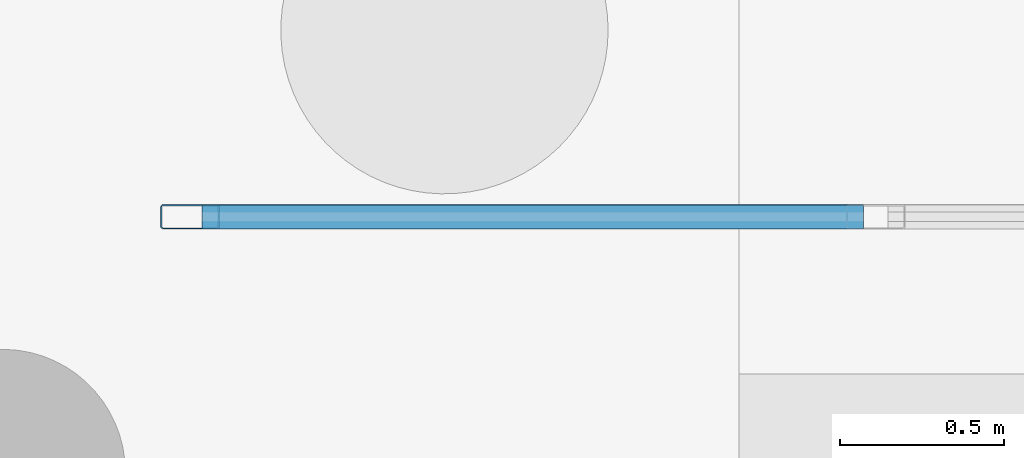
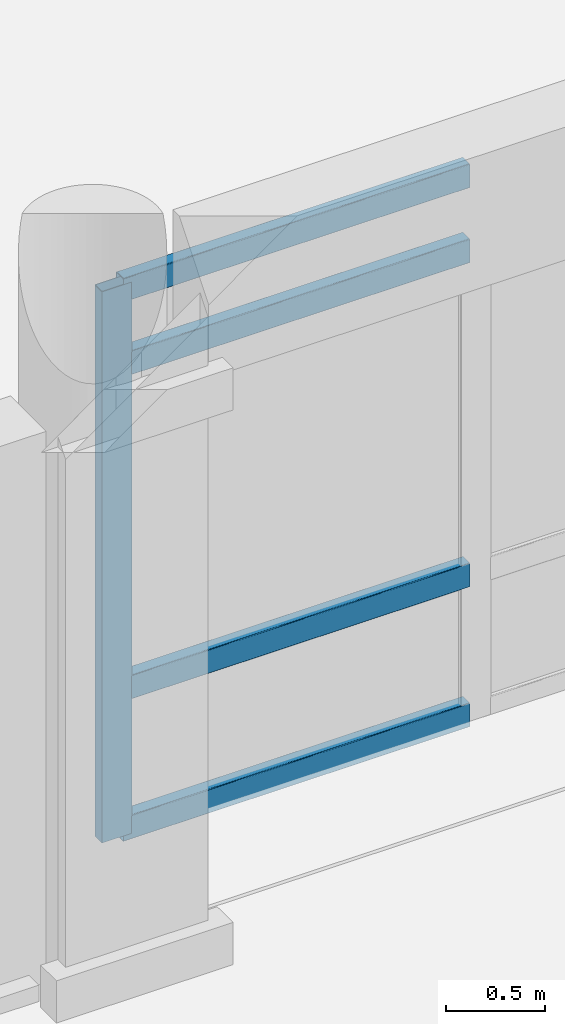
# One storey, part 69 of 196: 5 members, 1 element without a shape of its own.
"""IFC4 building model written with IfcOpenShell, lengths in metres."""

from ifc_helpers import new_model, si_unit, direction, frame, origin, origin_2d, place, context, subcontext, project, spatial, hollow_rectangle, extrude, material, layer, layer_set, material_profile, profile_set, type_object, element, aggregate, save


model = new_model("IFC4")

# Units and contexts
model_context = context("Model", 3, precision=1e-05, world=origin(), true_north=direction((0.0, 1.0)))
body_context = subcontext(model_context, "Body", "Model", "MODEL_VIEW")
ifc_project = project(units=[si_unit("LENGTHUNIT", "METRE"), si_unit("AREAUNIT", "SQUARE_METRE"), si_unit("VOLUMEUNIT", "CUBIC_METRE"), si_unit("PLANEANGLEUNIT", "RADIAN"), si_unit("MASSUNIT", "GRAM", prefix="KILO")], contexts=[model_context])

# Site, building, storey
site_placement = place(None, origin())
site = spatial("IfcSite", under=ifc_project, at=site_placement, CompositionType="ELEMENT")
building_placement = place(site_placement, origin())
building = spatial("IfcBuilding", under=site, at=building_placement, Name="Asteropetra Specialist Clinic", CompositionType="ELEMENT")
storey_placement = place(building_placement, origin())
storey = spatial("IfcBuildingStorey", under=building, at=storey_placement, Name="L00", CompositionType="ELEMENT", Elevation=0.0)

# Curtain wall, members
ifc_material_1 = material(Name="Aluminium and low-E glass", Category="aluminium")
ifc_layer = layer(ifc_material_1, 0.135009765625)
ifc_layer_set = layer_set([ifc_layer], Name="Aluminium and low-E glass")
curtain_wall_type = type_object("IfcCurtainWallType", Name="CW-SYS-09", PredefinedType="USERDEFINED", material=ifc_layer_set)
curtain_wall_placement = place(storey_placement, origin())
curtain_wall = element("IfcCurtainWall", 1, at=curtain_wall_placement, inside=storey, type_object=curtain_wall_type, Name="Curtain Wall CW-192", ObjectType="STICK GLAZED COLONNADE", PredefinedType="USERDEFINED")
ifc_material_2 = material(Name="Aluminium 6063-T6", Category="aluminium")
ifc_material_profile_1 = material_profile(ifc_material_2, hollow_rectangle(XDim=0.074951171875, YDim=0.179931640625, WallThickness=0.00390625, InnerFilletRadius=0.00390625, OuterFilletRadius=0.008056640625, at=origin_2d()), Name="MUL 180x75x4.0")
ifc_profile_set_1 = profile_set([ifc_material_profile_1], Name="Aluminium 6063-T6")
member_type_1 = type_object("IfcMemberType", Name="CWM-180x75", PredefinedType="MULLION", material=ifc_profile_set_1)
member_1_placement = place(storey_placement, frame((125.37255859375, 0.780029296875, 0.0), z_axis=(0.0, 0.0, 1.0), x_axis=(0.0, 1.0, 0.0)))
member_1 = element("IfcMember", 2, at=member_1_placement, type_object=member_type_1, Name="CW-192 mullion 1", PredefinedType="MULLION", context=body_context, shape_type="SweptSolid", body=[
    extrude(hollow_rectangle(XDim=0.074951171875, YDim=0.179931640625, WallThickness=0.00390625, InnerFilletRadius=0.00390625, OuterFilletRadius=0.008056640625, at=origin_2d()), origin(), (0.0, 0.0, 1.0), 3.39990234375),
])
ifc_material_3 = material(Name="Aluminium 6063-T6", Category="aluminium")
ifc_material_profile_2 = material_profile(ifc_material_3, hollow_rectangle(XDim=0.074951171875, YDim=0.14990234375, WallThickness=0.00390625, InnerFilletRadius=0.00390625, OuterFilletRadius=0.008056640625, at=origin_2d()), Name="TRN 150x75x4.0")
ifc_profile_set_2 = profile_set([ifc_material_profile_2], Name="Aluminium 6063-T6")
member_type_2 = type_object("IfcMemberType", Name="CWT-150x75", PredefinedType="USERDEFINED", material=ifc_profile_set_2)
member_2_placement = place(storey_placement, frame((125.409912109375, 0.780029296875, 0.03759765625), z_axis=(1.0, 0.0, 0.0), x_axis=(0.0, 1.0, 0.0)))
member_2 = element("IfcMember", 3, at=member_2_placement, type_object=member_type_2, Name="CW-192 transom 1.1", ObjectType="TRANSOM", PredefinedType="USERDEFINED", context=body_context, shape_type="SweptSolid", body=[
    extrude(hollow_rectangle(XDim=0.074951171875, YDim=0.14990234375, WallThickness=0.00390625, InnerFilletRadius=0.00390625, OuterFilletRadius=0.008056640625, at=origin_2d()), origin(), (0.0, 0.0, 1.0), 2.02001953125),
])
member_3_placement = place(storey_placement, frame((125.409912109375, 0.780029296875, 0.89990234375), z_axis=(1.0, 0.0, 0.0), x_axis=(0.0, 1.0, 0.0)))
member_3 = element("IfcMember", 4, at=member_3_placement, type_object=member_type_2, Name="CW-192 transom 1.2", ObjectType="TRANSOM", PredefinedType="USERDEFINED", context=body_context, shape_type="SweptSolid", body=[
    extrude(hollow_rectangle(XDim=0.074951171875, YDim=0.14990234375, WallThickness=0.00390625, InnerFilletRadius=0.00390625, OuterFilletRadius=0.008056640625, at=origin_2d()), origin(), (0.0, 0.0, 1.0), 2.02001953125),
])
member_4_placement = place(storey_placement, frame((125.409912109375, 0.780029296875, 2.89990234375), z_axis=(1.0, 0.0, 0.0), x_axis=(0.0, 1.0, 0.0)))
member_4 = element("IfcMember", 5, at=member_4_placement, type_object=member_type_2, Name="CW-192 transom 1.3", ObjectType="TRANSOM", PredefinedType="USERDEFINED", context=body_context, shape_type="SweptSolid", body=[
    extrude(hollow_rectangle(XDim=0.074951171875, YDim=0.14990234375, WallThickness=0.00390625, InnerFilletRadius=0.00390625, OuterFilletRadius=0.008056640625, at=origin_2d()), origin(), (0.0, 0.0, 1.0), 2.02001953125),
])
member_5_placement = place(storey_placement, frame((125.409912109375, 0.780029296875, 3.362548828125), z_axis=(1.0, 0.0, 0.0), x_axis=(0.0, 1.0, 0.0)))
member_5 = element("IfcMember", 6, at=member_5_placement, type_object=member_type_2, Name="CW-192 transom 1.4", ObjectType="TRANSOM", PredefinedType="USERDEFINED", context=body_context, shape_type="SweptSolid", body=[
    extrude(hollow_rectangle(XDim=0.074951171875, YDim=0.14990234375, WallThickness=0.00390625, InnerFilletRadius=0.00390625, OuterFilletRadius=0.008056640625, at=origin_2d()), origin(), (0.0, 0.0, 1.0), 2.02001953125),
])
aggregate(curtain_wall, [member_1, member_2, member_3, member_4, member_5])

save(model, "model.ifc")
